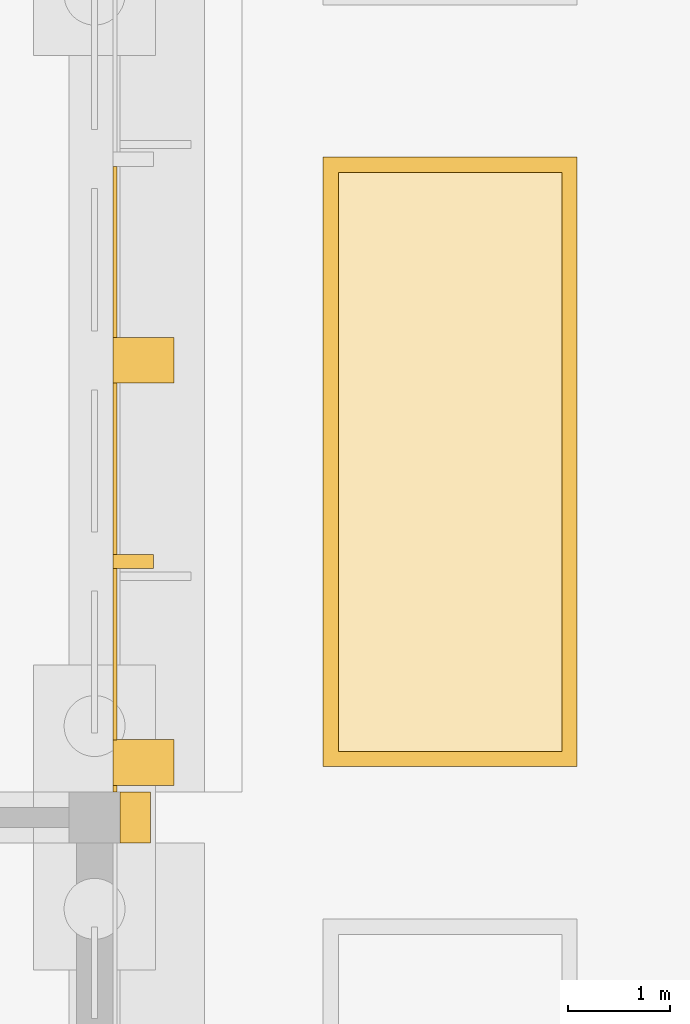
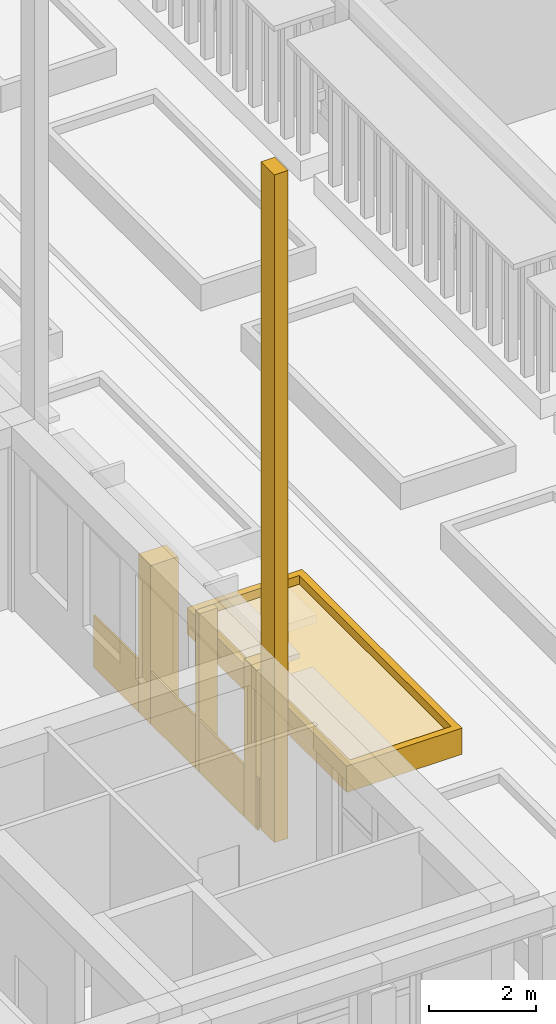
# One storey, part 101 of 161: 10 coverings.
"""IFC4 building model written with IfcOpenShell, lengths in metres."""

from ifc_helpers import new_model, si_unit, direction, frame, origin, origin_2d, place, context, subcontext, project, spatial, polyline, rectangle, outline, extrude, material, layer, layer_set, type_object, element, save


model = new_model("IFC4")

# Units and contexts
model_context = context("Model", 3, precision=1e-05, world=origin(), true_north=direction((0.0, 1.0)))
body_context = subcontext(model_context, "Body", "Model", "MODEL_VIEW")
ifc_project = project(units=[si_unit("LENGTHUNIT", "METRE"), si_unit("AREAUNIT", "SQUARE_METRE"), si_unit("VOLUMEUNIT", "CUBIC_METRE"), si_unit("PLANEANGLEUNIT", "RADIAN"), si_unit("MASSUNIT", "GRAM", prefix="KILO")], contexts=[model_context])

# Site, building, storey
site_placement = place(None, origin())
site = spatial("IfcSite", under=ifc_project, at=site_placement, CompositionType="ELEMENT")
building_placement = place(site_placement, origin())
building = spatial("IfcBuilding", under=site, at=building_placement, Name="Elbe Cascade School", CompositionType="ELEMENT")
storey_placement = place(building_placement, origin())
storey = spatial("IfcBuildingStorey", under=building, at=storey_placement, Name="L00", CompositionType="ELEMENT", Elevation=0.0)

# Coverings
ifc_material_1 = material(Name="Precast concrete C40/50", Category="concrete")
covering_type_1 = type_object("IfcCoveringType", Name="Bars envelope Precast concrete fin, 140 wide, 400 deep", PredefinedType="CLADDING", material=ifc_material_1)
covering_1_placement = place(storey_placement, frame((116.080078125, 17.52001953125, 0.0), z_axis=(0.0, 0.0, 1.0), x_axis=(0.0, 1.0, 0.0)))
element("IfcCovering", 1, at=covering_1_placement, inside=storey, type_object=covering_type_1, Name="Fin CV56 B.L00.e2.4", PredefinedType="CLADDING", context=body_context, shape_type="SweptSolid", body=[
    extrude(rectangle(XDim=0.139892578125, YDim=0.39990234375, at=origin_2d()), origin(), (0.0, 0.0, 1.0), 3.6298828125),
])
ifc_material_2 = material(Name="Precast concrete C40/50", Category="concrete")
covering_type_2 = type_object("IfcCoveringType", Name="Bars envelope Precast concrete fin, 450 wide, 600 deep", PredefinedType="CLADDING", material=ifc_material_2)
for number, where, z_axis, x_axis, name in (
    (2, (116.179931640625, 15.5400390625, 0.0), (0.0, 0.0, 1.0), (0.0, 1.0, 0.0), "Fin CV55 B.L00.e2.1"),
    (3, (116.179931640625, 19.5, 0.0), (0.0, 0.0, 1.0), (0.0, 1.0, 0.0), "Fin CV55 B.L00.e2.2"),
):
    element("IfcCovering", number, at=place(storey_placement, frame(where, z_axis=z_axis, x_axis=x_axis)), inside=storey, type_object=covering_type_2, Name=name, PredefinedType="CLADDING", context=body_context, shape_type="SweptSolid", body=[
        extrude(rectangle(XDim=0.449951171875, YDim=0.60009765625, at=origin_2d()), origin(), (0.0, 0.0, 1.0), 3.6298828125),
    ])
ifc_material_3 = material(Name="Sandstone - red", Category="masonry")
ifc_layer_1 = layer(ifc_material_3, 0.0400390625)
ifc_layer_set_1 = layer_set([ifc_layer_1], Name="Sandstone - red")
covering_type_3 = type_object("IfcCoveringType", Name="Bars envelope Sandstone cladding, red, 40 mm", PredefinedType="CLADDING", material=ifc_layer_set_1)
covering_2_placement = place(storey_placement, frame((115.89990234375, 15.282470703125, 0.0), z_axis=(0.0, 0.0, 1.0), x_axis=(0.0, 1.0, 0.0)))
element("IfcCovering", 4, at=covering_2_placement, inside=storey, type_object=covering_type_3, Name="Sandstone cladding CV48 B.L00.e.2.1", PredefinedType="CLADDING", context=body_context, shape_type="SweptSolid", body=[
    extrude(rectangle(XDim=0.06494140625, YDim=0.0400390625, at=origin_2d()), origin(), (0.0, 0.0, 1.0), 1.199951171875),
])
for number, where, z_axis, x_axis, name in (
    (5, (115.89990234375, 16.607421875, 0.0), (0.0, 0.0, 1.0), (0.0, 1.0, 0.0), "Sandstone cladding CV48 B.L00.e.2.2"),
    (6, (115.89990234375, 18.4326171875, 0.0), (0.0, 0.0, 1.0), (0.0, 1.0, 0.0), "Sandstone cladding CV48 B.L00.e.2.3"),
    (7, (115.89990234375, 20.5673828125, 0.0), (0.0, 0.0, 1.0), (0.0, 1.0, 0.0), "Sandstone cladding CV48 B.L00.e.2.4"),
):
    element("IfcCovering", number, at=place(storey_placement, frame(where, z_axis=z_axis, x_axis=x_axis)), inside=storey, type_object=covering_type_3, Name=name, PredefinedType="CLADDING", context=body_context, shape_type="SweptSolid", body=[
        extrude(rectangle(XDim=1.68505859375, YDim=0.0400390625, at=origin_2d()), origin(), (0.0, 0.0, 1.0), 1.199951171875),
    ])
ifc_material_4 = material(Name="Sandstone - red", Category="masonry")
covering_type_4 = type_object("IfcCoveringType", Name="Bars envelope Sandstone pilaster, 300 deep", PredefinedType="CLADDING", material=ifc_material_4)
covering_3_placement = place(storey_placement, frame((116.10009765625, 15.0, 0.0), z_axis=(0.0, 0.0, 1.0), x_axis=(0.0, 1.0, 0.0)))
element("IfcCovering", 8, at=covering_3_placement, inside=storey, type_object=covering_type_4, Name="Pilaster CV60 B.e1", PredefinedType="CLADDING", context=body_context, shape_type="SweptSolid", body=[
    extrude(rectangle(XDim=0.5, YDim=0.300048828125, at=origin_2d()), origin(), (0.0, 0.0, 1.0), 15.300048828125),
])
ifc_material_5 = material(Name="Planting - soil and shrubs", Category="soil")
ifc_layer_2 = layer(ifc_material_5, 0.39990234375)
ifc_layer_set_2 = layer_set([ifc_layer_2], Name="Planting - soil and shrubs")
covering_type_5 = type_object("IfcCoveringType", Name="Site planting bed 400", PredefinedType="USERDEFINED", material=ifc_layer_set_2)
covering_4_placement = place(storey_placement, origin())
element("IfcCovering", 9, at=covering_4_placement, inside=storey, type_object=covering_type_5, Name="Court B-C planting bed west 2", ObjectType="PLANTING BED", PredefinedType="USERDEFINED", context=body_context, shape_type="SweptSolid", body=[
    extrude(outline(polyline([(118.10009765625, 15.64990234375), (120.300048828125, 15.64990234375), (120.300048828125, 21.35009765625), (118.10009765625, 21.35009765625), (118.10009765625, 15.64990234375)])), origin(), (0.0, 0.0, 1.0), 0.39990234375),
])
ifc_material_6 = material(Name="Concrete C30/37 precast kerb", Category="concrete")
ifc_layer_3 = layer(ifc_material_6, 0.14990234375)
ifc_layer_set_3 = layer_set([ifc_layer_3], Name="Concrete C30/37 precast kerb")
covering_type_6 = type_object("IfcCoveringType", Name="Site planting bed kerb 150x600", PredefinedType="CLADDING", material=ifc_layer_set_3)
covering_5_placement = place(storey_placement, origin())
element("IfcCovering", 10, at=covering_5_placement, inside=storey, type_object=covering_type_6, Name="Court B-C planting bed kerb west 2", PredefinedType="CLADDING", context=body_context, shape_type="SweptSolid", body=[
    extrude(outline(polyline([(117.949951171875, 15.5), (120.449951171875, 15.5), (120.449951171875, 21.5), (117.949951171875, 21.5), (117.949951171875, 15.5)]), holes=[polyline([(118.10009765625, 15.64990234375), (120.300048828125, 15.64990234375), (120.300048828125, 21.35009765625), (118.10009765625, 21.35009765625), (118.10009765625, 15.64990234375)])]), origin(), (0.0, 0.0, 1.0), 0.60009765625),
])

save(model, "model.ifc")
